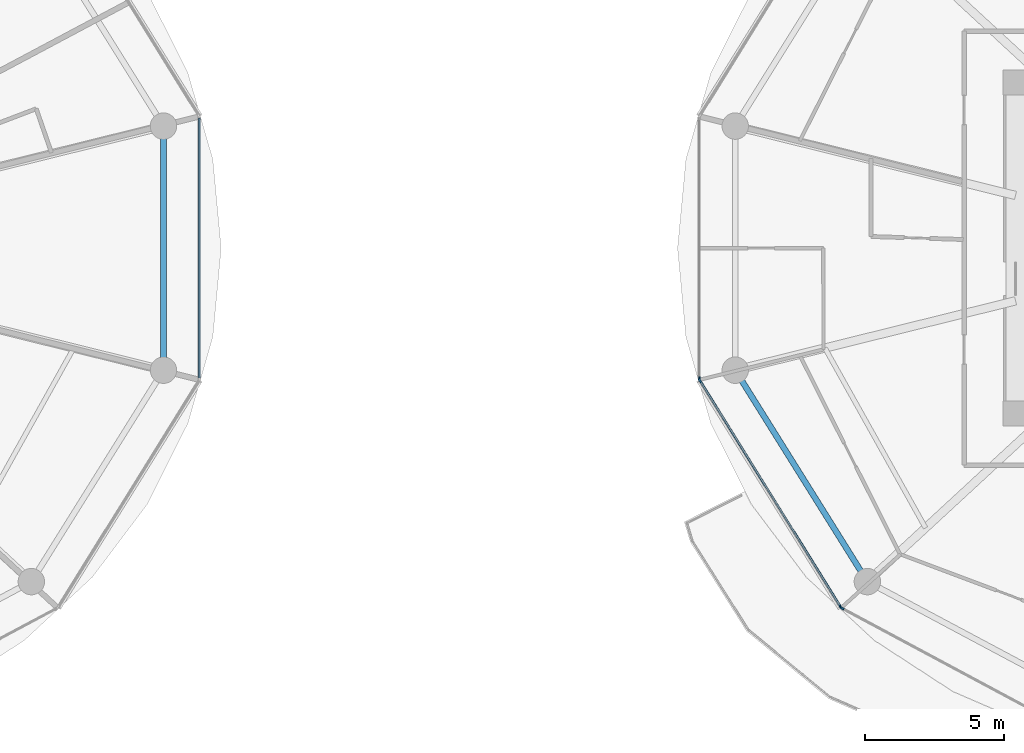
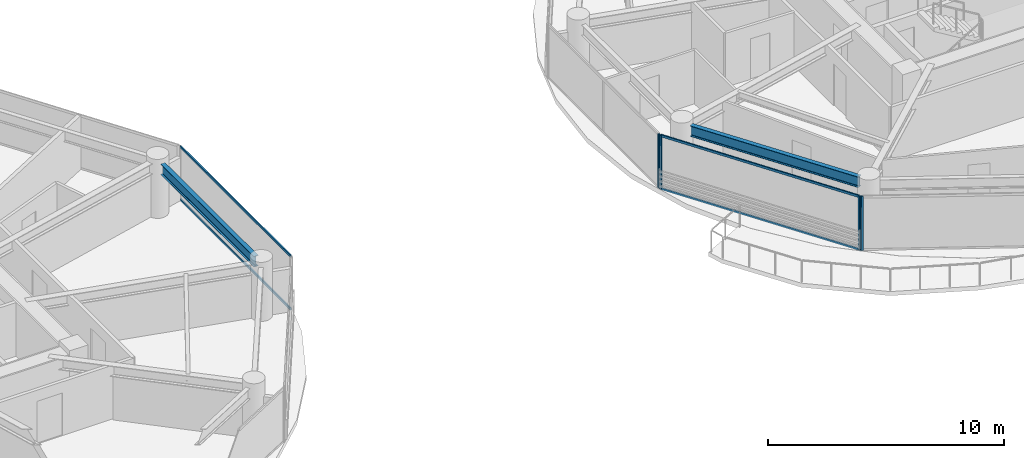
# One storey, part 6 of 26: 8 members, 2 beams, 4 elements without a shape of their own.
"""IFC4 building model written with IfcOpenShell, lengths in metres."""

from ifc_helpers import new_model, si_unit, direction, frame, origin, origin_2d, place, context, subcontext, project, spatial, rectangle, i_section, extrude, source, transform, mapped, material, layer, layer_set, material_profile, profile_set, type_object, type_shapes, element, aggregate, save


model = new_model("IFC4")

# Units and contexts
model_context = context("Model", 3, precision=1e-05, world=origin(), true_north=direction((0.0, 1.0)))
body_context = subcontext(model_context, "Body", "Model", "MODEL_VIEW")
ifc_project = project(units=[si_unit("LENGTHUNIT", "METRE"), si_unit("AREAUNIT", "SQUARE_METRE"), si_unit("VOLUMEUNIT", "CUBIC_METRE"), si_unit("PLANEANGLEUNIT", "RADIAN"), si_unit("MASSUNIT", "GRAM", prefix="KILO")], contexts=[model_context])

# Site, building, storey
site_placement = place(None, origin())
site = spatial("IfcSite", under=ifc_project, at=site_placement, CompositionType="ELEMENT")
building_placement = place(site_placement, origin())
building = spatial("IfcBuilding", under=site, at=building_placement, Name="Norrkilde Senior Care Towers", CompositionType="ELEMENT")
storey_placement = place(building_placement, frame((0.0, 0.0, 24.64990234375)))
storey = spatial("IfcBuildingStorey", under=building, at=storey_placement, Name="L06", CompositionType="ELEMENT", Elevation=24.64990234375)

# Beams
ifc_material_1 = material(Name="Steel S355", Category="steel")
ifc_material_profile_1 = material_profile(ifc_material_1, i_section(OverallWidth=0.2099609375, OverallDepth=0.550048828125, WebThickness=0.010986328125, FlangeThickness=0.01708984375, FilletRadius=0.02392578125, at=origin_2d()), Name="IPE 550")
ifc_profile_set_1 = profile_set([ifc_material_profile_1], Name="Steel S355")
beam_type = type_object("IfcBeamType", Name="Perimeter Ring Spandrel Z1 IPE550", PredefinedType="SPANDREL", material=ifc_profile_set_1)
shared_shape_1 = source(origin(), body_context, "Body", "SweptSolid", [
    extrude(i_section(OverallWidth=0.2099609375, OverallDepth=0.550048828125, WebThickness=0.010986328125, FlangeThickness=0.01708984375, FilletRadius=0.02392578125, at=origin_2d()), origin(), (0.0, 0.0, 1.0), 8.090576171875),
])
beam_1_placement = place(storey_placement, frame((10.505859375, -4.755859375, 2.51513671875), z_axis=(0.530004364821, -0.84799491347, 0.0), x_axis=(0.84799491347, 0.530004364821, 0.0)))
element("IfcBeam", 1, at=beam_1_placement, inside=storey, type_object=beam_type, Name="L06 Drum E Perimeter Spandrel 07", PredefinedType="SPANDREL", context=body_context, shape_type="MappedRepresentation", body=[
    mapped(shared_shape_1, transform((0.0, 0.0, 0.0), x_axis=(1.0, 0.0, 0.0), y_axis=(0.0, 1.0, 0.0), z_axis=(0.0, 0.0, 1.0), scale=1.0)),
])
shared_shape_2 = source(origin(), body_context, "Body", "SweptSolid", [
    extrude(i_section(OverallWidth=0.2099609375, OverallDepth=0.550048828125, WebThickness=0.010986328125, FlangeThickness=0.01708984375, FilletRadius=0.02392578125, at=origin_2d()), origin(), (0.0, 0.0, 1.0), 7.90380859375),
])
type_shapes(beam_type, [shared_shape_1, shared_shape_2])
beam_2_placement = place(storey_placement, frame((-10.275146484375, -3.951904296875, 2.51513671875), z_axis=(0.0, 1.0, 0.0), x_axis=(-1.0, 0.0, 0.0)))
element("IfcBeam", 2, at=beam_2_placement, inside=storey, type_object=beam_type, Name="L06 Drum W Perimeter Spandrel 12", PredefinedType="SPANDREL", context=body_context, shape_type="MappedRepresentation", body=[
    mapped(shared_shape_2, transform((0.0, 0.0, 0.0), x_axis=(1.0, 0.0, 0.0), y_axis=(0.0, 1.0, 0.0), z_axis=(0.0, 0.0, 1.0), scale=1.0)),
])

# Curtain wall, member
ifc_material_2 = material(Name="Triple Low-E Insulated Glazing", Category="glass")
ifc_layer = layer(ifc_material_2, 0.199951171875)
ifc_layer_set = layer_set([ifc_layer], Name="Triple Low-E Insulated Glazing")
curtain_wall_type = type_object("IfcCurtainWallType", Name="CW2 Zone 1 Memory Care Curtain Wall", PredefinedType="NOTDEFINED", material=ifc_layer_set)
curtain_wall_1_placement = place(storey_placement, origin())
curtain_wall_1 = element("IfcCurtainWall", 3, at=curtain_wall_1_placement, inside=storey, type_object=curtain_wall_type, Name="L06 Drum E Curtain Wall 05", PredefinedType="NOTDEFINED")
ifc_material_3 = material(Name="Anodised Aluminium", Category="aluminium")
ifc_material_profile_2 = material_profile(ifc_material_3, rectangle(XDim=0.06494140625, YDim=0.159912109375, at=origin_2d()), Name="ALU MULL 65x160")
ifc_profile_set_2 = profile_set([ifc_material_profile_2], Name="Anodised Aluminium")
member_type_1 = type_object("IfcMemberType", Name="Curtain Wall Mullion Z1-Z2 65x160", PredefinedType="MULLION", material=ifc_profile_set_2)
shared_shape_3 = source(origin(), body_context, "Body", "SweptSolid", [
    extrude(rectangle(XDim=0.06494140625, YDim=0.159912109375, at=origin_2d()), origin(), (0.0, 0.0, 1.0), 2.7900390625),
])
type_shapes(member_type_1, [shared_shape_3])
member_1_placement = place(storey_placement, frame((8.990478515625, -4.69873046875, 0.0), z_axis=(0.0, 0.0, 1.0), x_axis=(-1.0, 0.0, 0.0)))
member_1 = element("IfcMember", 4, at=member_1_placement, type_object=member_type_1, Name="CW-2 mullion 1", PredefinedType="MULLION", context=body_context, shape_type="MappedRepresentation", body=[
    mapped(shared_shape_3, transform((0.0, 0.0, 0.0), x_axis=(1.0, 0.0, 0.0), y_axis=(0.0, 1.0, 0.0), z_axis=(0.0, 0.0, 1.0), scale=1.0)),
])
aggregate(curtain_wall_1, [member_1])

# Curtain wall, members
curtain_wall_2_placement = place(storey_placement, origin())
curtain_wall_2 = element("IfcCurtainWall", 5, at=curtain_wall_2_placement, inside=storey, type_object=curtain_wall_type, Name="L06 Drum E Curtain Wall 06", PredefinedType="NOTDEFINED")
member_2_placement = place(storey_placement, frame((14.06689453125, -12.898193359375, 0.0), z_axis=(0.0, 0.0, 1.0), x_axis=(-0.849305943117, -0.527900951871, 0.0)))
member_2 = element("IfcMember", 6, at=member_2_placement, type_object=member_type_1, Name="CW-2 mullion 1", PredefinedType="MULLION", context=body_context, shape_type="MappedRepresentation", body=[
    mapped(shared_shape_3, transform((0.0, 0.0, 0.0), x_axis=(1.0, 0.0, 0.0), y_axis=(0.0, 1.0, 0.0), z_axis=(0.0, 0.0, 1.0), scale=1.0)),
])
member_3_placement = place(storey_placement, frame((9.0078125, -4.7587890625, 0.0), z_axis=(0.0, 0.0, 1.0), x_axis=(-0.849305943117, -0.527900951871, 0.0)))
member_3 = element("IfcMember", 7, at=member_3_placement, type_object=member_type_1, Name="CW-2 mullion 2", PredefinedType="MULLION", context=body_context, shape_type="MappedRepresentation", body=[
    mapped(shared_shape_3, transform((0.0, 0.0, 0.0), x_axis=(1.0, 0.0, 0.0), y_axis=(0.0, 1.0, 0.0), z_axis=(0.0, 0.0, 1.0), scale=1.0)),
])

# Curtain wall, member
curtain_wall_3_placement = place(storey_placement, origin())
curtain_wall_3 = element("IfcCurtainWall", 8, at=curtain_wall_3_placement, inside=storey, type_object=curtain_wall_type, Name="L06 Drum E Curtain Wall 07", PredefinedType="NOTDEFINED")
member_4_placement = place(storey_placement, frame((14.11279296875, -12.941162109375, 0.0), z_axis=(0.0, 0.0, 1.0), x_axis=(-0.472607802456, -0.881272866403, 0.0)))
member_4 = element("IfcMember", 9, at=member_4_placement, type_object=member_type_1, Name="CW-2 mullion 2", PredefinedType="MULLION", context=body_context, shape_type="MappedRepresentation", body=[
    mapped(shared_shape_3, transform((0.0, 0.0, 0.0), x_axis=(1.0, 0.0, 0.0), y_axis=(0.0, 1.0, 0.0), z_axis=(0.0, 0.0, 1.0), scale=1.0)),
])
aggregate(curtain_wall_3, [member_4])

# Member
ifc_material_profile_3 = material_profile(ifc_material_3, rectangle(XDim=0.06005859375, YDim=0.1201171875, at=origin_2d()), Name="ALU TRAN 60x120")
ifc_profile_set_3 = profile_set([ifc_material_profile_3], Name="Anodised Aluminium")
member_type_2 = type_object("IfcMemberType", Name="Curtain Wall Transom Typical 60x120", PredefinedType="USERDEFINED", material=ifc_profile_set_3)
shared_shape_4 = source(origin(), body_context, "Body", "SweptSolid", [
    extrude(rectangle(XDim=0.06005859375, YDim=0.1201171875, at=origin_2d()), origin(), (0.0, 0.0, 1.0), 9.5185546875),
])
member_5_placement = place(storey_placement, frame((14.0498046875, -12.87060546875, 0.030029296875), z_axis=(-0.527901620669, 0.849305527413, 0.0), x_axis=(-0.849305527413, -0.527901620669, 0.0)))
member_5 = element("IfcMember", 10, at=member_5_placement, type_object=member_type_2, Name="CW-2 transom 1.1", ObjectType="TRANSOM", PredefinedType="USERDEFINED", context=body_context, shape_type="MappedRepresentation", body=[
    mapped(shared_shape_4, transform((0.0, 0.0, 0.0), x_axis=(1.0, 0.0, 0.0), y_axis=(0.0, 1.0, 0.0), z_axis=(0.0, 0.0, 1.0), scale=1.0)),
])

member_6_placement = place(storey_placement, frame((14.0498046875, -12.87060546875, 2.760009765625), z_axis=(-0.527901620669, 0.849305527413, 0.0), x_axis=(-0.849305527413, -0.527901620669, 0.0)))
member_6 = element("IfcMember", 11, at=member_6_placement, type_object=member_type_2, Name="CW-2 transom 1.2", ObjectType="TRANSOM", PredefinedType="USERDEFINED", context=body_context, shape_type="MappedRepresentation", body=[
    mapped(shared_shape_4, transform((0.0, 0.0, 0.0), x_axis=(1.0, 0.0, 0.0), y_axis=(0.0, 1.0, 0.0), z_axis=(0.0, 0.0, 1.0), scale=1.0)),
])

aggregate(curtain_wall_2, [member_2, member_3, member_5, member_6])

# Curtain wall, members
curtain_wall_4_placement = place(storey_placement, origin())
curtain_wall_4 = element("IfcCurtainWall", 12, at=curtain_wall_4_placement, inside=storey, type_object=curtain_wall_type, Name="L06 Drum W Curtain Wall 11", PredefinedType="NOTDEFINED")
shared_shape_5 = source(origin(), body_context, "Body", "SweptSolid", [
    extrude(rectangle(XDim=0.06005859375, YDim=0.1201171875, at=origin_2d()), origin(), (0.0, 0.0, 1.0), 9.33251953125),
])
type_shapes(member_type_2, [shared_shape_4, shared_shape_5])
member_7_placement = place(storey_placement, frame((-8.990478515625, 4.666259765625, 0.030029296875), z_axis=(0.0, -1.0, 0.0), x_axis=(1.0, 0.0, 0.0)))
member_7 = element("IfcMember", 13, at=member_7_placement, type_object=member_type_2, Name="CW-2 transom 1.1", ObjectType="TRANSOM", PredefinedType="USERDEFINED", context=body_context, shape_type="MappedRepresentation", body=[
    mapped(shared_shape_5, transform((0.0, 0.0, 0.0), x_axis=(1.0, 0.0, 0.0), y_axis=(0.0, 1.0, 0.0), z_axis=(0.0, 0.0, 1.0), scale=1.0)),
])
member_8_placement = place(storey_placement, frame((-8.990478515625, 4.666259765625, 2.760009765625), z_axis=(0.0, -1.0, 0.0), x_axis=(1.0, 0.0, 0.0)))
member_8 = element("IfcMember", 14, at=member_8_placement, type_object=member_type_2, Name="CW-2 transom 1.2", ObjectType="TRANSOM", PredefinedType="USERDEFINED", context=body_context, shape_type="MappedRepresentation", body=[
    mapped(shared_shape_5, transform((0.0, 0.0, 0.0), x_axis=(1.0, 0.0, 0.0), y_axis=(0.0, 1.0, 0.0), z_axis=(0.0, 0.0, 1.0), scale=1.0)),
])
aggregate(curtain_wall_4, [member_7, member_8])

save(model, "model.ifc")
